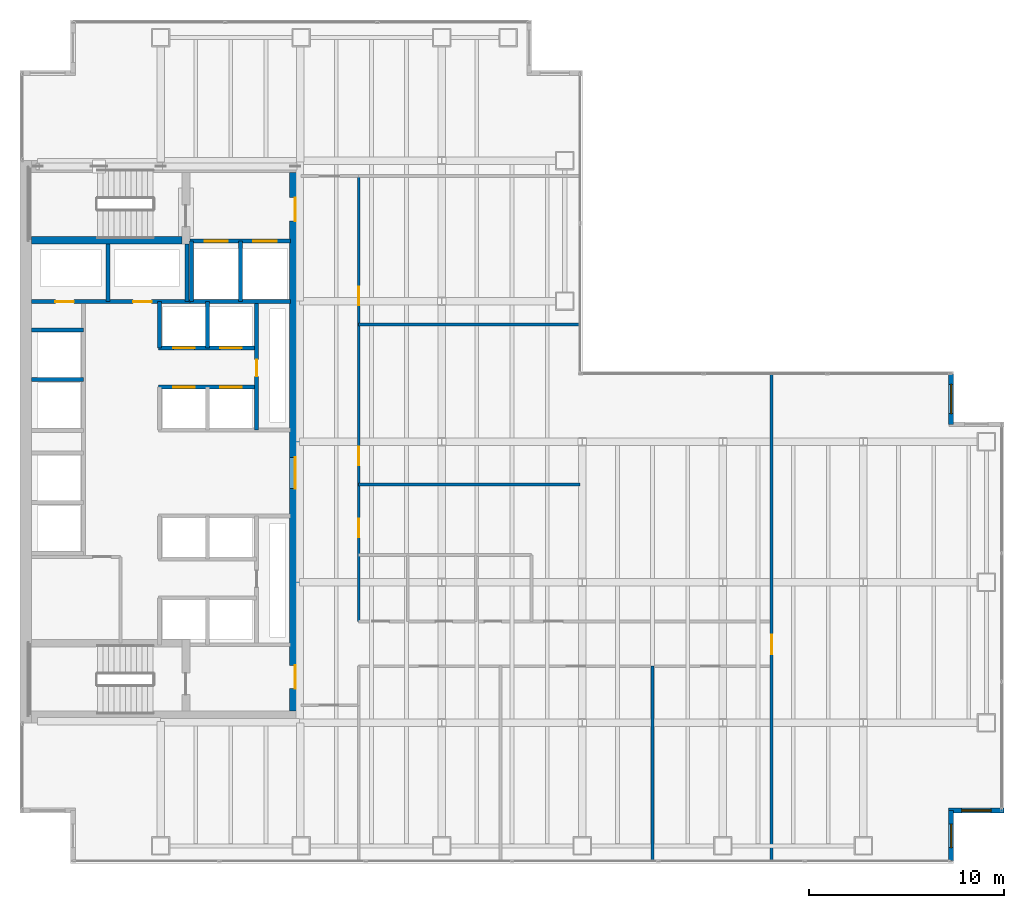
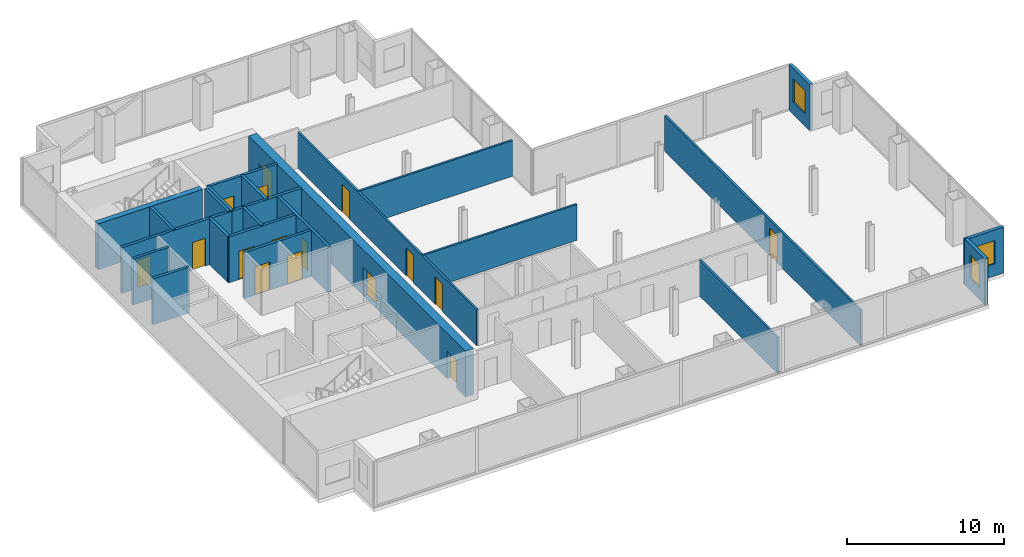
# One storey, part 21 of 23: 24 walls, 16 doors, 3 windows, 19 openings.
"""IFC4 building model written with IfcOpenShell, lengths in metres."""

from ifc_helpers import new_model, si_unit, direction, frame, frame_2d, origin, place, context, subcontext, project, spatial, rectangle, extrude, material, layer, layer_set, type_object, element, fill, save


model = new_model("IFC4")

# Units and contexts
model_context = context("Model", 3, precision=1e-05, world=origin(), true_north=direction((0.0, 1.0)))
body_context = subcontext(model_context, "Body", "Model", "MODEL_VIEW")
ifc_project = project(units=[si_unit("LENGTHUNIT", "METRE"), si_unit("AREAUNIT", "SQUARE_METRE"), si_unit("VOLUMEUNIT", "CUBIC_METRE"), si_unit("PLANEANGLEUNIT", "RADIAN"), si_unit("MASSUNIT", "GRAM", prefix="KILO")], contexts=[model_context])

# Site, building, storey
site_placement = place(None, origin())
site = spatial("IfcSite", under=ifc_project, at=site_placement, CompositionType="ELEMENT")
building_placement = place(site_placement, origin())
building = spatial("IfcBuilding", under=site, at=building_placement, Name="Cobrela Telecom Tower", CompositionType="ELEMENT")
storey_placement = place(building_placement, frame((0.0, 0.0, 88.89990234375)))
storey = spatial("IfcBuildingStorey", under=building, at=storey_placement, Name="L22", CompositionType="ELEMENT", Elevation=88.89990234375)

# Wall, openings, doors
ifc_material_1 = material(Name="Concrete C50/60", Category="concrete")
ifc_layer_1 = layer(ifc_material_1, 0.60009765625)
ifc_layer_set_1 = layer_set([ifc_layer_1], Name="Concrete C50/60")
wall_type_1 = type_object("IfcWallType", Name="WALL-CORE-C50-600", PredefinedType="SHEAR", material=ifc_layer_set_1)
wall_1_placement = place(storey_placement, frame((14.10009765625, 35.39990234375, 0.0), z_axis=(0.0, 0.0, 1.0), x_axis=(0.0, -1.0, 0.0)))
wall_1 = element("IfcWall", 1, at=wall_1_placement, inside=storey, type_object=wall_type_1, Name="L22 East Core Shear Wall", PredefinedType="SHEAR", context=body_context, shape_type="SweptSolid", body=[
    extrude(rectangle(XDim=27.599853515625, YDim=0.60009765625, at=frame_2d((13.7998046875, 0.0))), origin(), (0.0, 0.0, 1.0), 3.570068359375),
])
opening_1_placement = place(wall_1_placement, frame((1.300048828125, 0.0, 0.0)))
opening_1 = element("IfcOpeningElement", 2, at=opening_1_placement, cuts=wall_1, Name="Opening DR-19", PredefinedType="OPENING", context=body_context, shape_type="SweptSolid", body=[
    extrude(rectangle(XDim=1.199951171875, YDim=2.14990234375, at=frame_2d((0.60009765625, 1.074951171875))), frame((0.0, 0.31201171875, 0.0), z_axis=(0.0, -1.0, 0.0), x_axis=(1.0, 0.0, 0.0)), (0.0, 0.0, 1.0), 0.6240234375),
])
opening_2_placement = place(wall_1_placement, frame((25.25, 0.0, 0.0)))
opening_2 = element("IfcOpeningElement", 3, at=opening_2_placement, cuts=wall_1, Name="Opening DR-19", PredefinedType="OPENING", context=body_context, shape_type="SweptSolid", body=[
    extrude(rectangle(XDim=1.199951171875, YDim=2.14990234375, at=frame_2d((0.60009765625, 1.074951171875))), frame((0.0, 0.31201171875, 0.0), z_axis=(0.0, -1.0, 0.0), x_axis=(1.0, 0.0, 0.0)), (0.0, 0.0, 1.0), 0.6240234375),
])
opening_3_placement = place(wall_1_placement, frame((14.60009765625, 0.0, 0.0)))
opening_3 = element("IfcOpeningElement", 4, at=opening_3_placement, cuts=wall_1, Name="Opening DR-51", PredefinedType="OPENING", context=body_context, shape_type="SweptSolid", body=[
    extrude(rectangle(XDim=1.60009765625, YDim=2.199951171875, at=frame_2d((0.800048828125, 1.10009765625))), frame((0.0, 0.31201171875, 0.0), z_axis=(0.0, -1.0, 0.0), x_axis=(1.0, 0.0, 0.0)), (0.0, 0.0, 1.0), 0.6240234375),
])
ifc_material_2 = material(Name="Steel ASTM A36", Category="steel")
door_type_1 = type_object("IfcDoorType", Name="DOOR-FD60-1200", OperationType="SINGLE_SWING_LEFT", PredefinedType="DOOR", material=ifc_material_2)
door_1_placement = place(opening_1_placement, origin())
door_1 = element("IfcDoor", 5, at=door_1_placement, inside=storey, type_object=door_type_1, Name="L22 Door DR-19", OperationType="SINGLE_SWING_LEFT", OverallHeight=2.14990234375, OverallWidth=1.199951171875, PredefinedType="DOOR", context=body_context, shape_type="SweptSolid", body=[
    extrude(rectangle(XDim=1.199951171875, YDim=2.14990234375, at=frame_2d((0.60009765625, 1.074951171875))), frame((0.0, 0.02490234375, 0.0), z_axis=(0.0, -1.0, 0.0), x_axis=(1.0, 0.0, 0.0)), (0.0, 0.0, 1.0), 0.050048828125),
])
fill(opening_1, door_1)
door_2_placement = place(opening_2_placement, origin())
door_2 = element("IfcDoor", 6, at=door_2_placement, inside=storey, type_object=door_type_1, Name="L22 Door DR-19", OperationType="SINGLE_SWING_RIGHT", OverallHeight=2.14990234375, OverallWidth=1.199951171875, PredefinedType="DOOR", context=body_context, shape_type="SweptSolid", body=[
    extrude(rectangle(XDim=1.199951171875, YDim=2.14990234375, at=frame_2d((0.60009765625, 1.074951171875))), frame((0.0, 0.02490234375, 0.0), z_axis=(0.0, -1.0, 0.0), x_axis=(1.0, 0.0, 0.0)), (0.0, 0.0, 1.0), 0.050048828125),
])
fill(opening_2, door_2)
door_type_2 = type_object("IfcDoorType", Name="DOOR-FD60-1600", OperationType="SINGLE_SWING_LEFT", PredefinedType="DOOR", material=ifc_material_2)
door_3_placement = place(opening_3_placement, origin())
door_3 = element("IfcDoor", 7, at=door_3_placement, inside=storey, type_object=door_type_2, Name="L22 Door DR-51", OperationType="DOUBLE_DOOR_SINGLE_SWING", OverallHeight=2.199951171875, OverallWidth=1.60009765625, PredefinedType="DOOR", context=body_context, shape_type="SweptSolid", body=[
    extrude(rectangle(XDim=1.60009765625, YDim=2.199951171875, at=frame_2d((0.800048828125, 1.10009765625))), frame((0.0, 0.02490234375, 0.0), z_axis=(0.0, -1.0, 0.0), x_axis=(1.0, 0.0, 0.0)), (0.0, 0.0, 1.0), 0.050048828125),
])
fill(opening_3, door_3)

# Wall, opening, window
ifc_material_3 = material(Name="Concrete C40/50", Category="concrete")
ifc_layer_2 = layer(ifc_material_3, 0.239990234375)
ifc_layer_set_2 = layer_set([ifc_layer_2], Name="Concrete C40/50")
wall_type_2 = type_object("IfcWallType", Name="WALL-EXT-300", PredefinedType="STANDARD", material=ifc_layer_set_2)
wall_2_placement = place(storey_placement, frame((47.68994140625, 25.080078125, 0.0), z_axis=(0.0, 0.0, 1.0), x_axis=(0.0, -1.0, 0.0)))
wall_2 = element("IfcWall", 8, at=wall_2_placement, inside=storey, type_object=wall_type_2, Name="L22 Insulated Facade Wall 12", PredefinedType="STANDARD", context=body_context, shape_type="SweptSolid", body=[
    extrude(rectangle(XDim=2.590087890625, YDim=0.239990234375, at=frame_2d((1.294921875, 0.0))), origin(), (0.0, 0.0, 1.0), 3.570068359375),
])
opening_4_placement = place(wall_2_placement, frame((0.544921875, 0.0, 0.949951171875)))
opening_4 = element("IfcOpeningElement", 9, at=opening_4_placement, cuts=wall_2, Name="Opening WN-45", PredefinedType="OPENING", context=body_context, shape_type="SweptSolid", body=[
    extrude(rectangle(XDim=1.5, YDim=1.800048828125, at=frame_2d((0.75, 0.89990234375))), frame((0.0, 0.1318359375, 0.0), z_axis=(0.0, -1.0, 0.0), x_axis=(1.0, 0.0, 0.0)), (0.0, 0.0, 1.0), 0.263916015625),
])
ifc_material_4 = material(Name="Solar-Control Bronze Low-E Glass", Category="glass")
window_type_1 = type_object("IfcWindowType", Name="WIN-MOD-1500", PartitioningType="SINGLE_PANEL", PredefinedType="WINDOW", material=ifc_material_4)
window_1_placement = place(opening_4_placement, origin())
window_1 = element("IfcWindow", 10, at=window_1_placement, inside=storey, type_object=window_type_1, Name="L22 Corner Notch Facade Window 106", OverallHeight=1.800048828125, OverallWidth=1.5, PartitioningType="SINGLE_PANEL", PredefinedType="WINDOW", context=body_context, shape_type="SweptSolid", body=[
    extrude(rectangle(XDim=1.5, YDim=1.800048828125, at=frame_2d((0.75, 0.89990234375))), frame((0.0, 0.030029296875, 0.0), z_axis=(0.0, -1.0, 0.0), x_axis=(1.0, 0.0, 0.0)), (0.0, 0.0, 1.0), 0.06005859375),
])
fill(opening_4, window_1)

wall_3_placement = place(storey_placement, frame((50.39990234375, 2.7099609375, 0.0), z_axis=(0.0, 0.0, 1.0), x_axis=(-1.0, 0.0, 0.0)))
wall_3 = element("IfcWall", 11, at=wall_3_placement, inside=storey, type_object=wall_type_2, Name="L22 Insulated Facade Wall 15", PredefinedType="STANDARD", context=body_context, shape_type="SweptSolid", body=[
    extrude(rectangle(XDim=2.829833984375, YDim=0.239990234375, at=frame_2d((1.4150390625, 0.0))), origin(), (0.0, 0.0, 1.0), 3.570068359375),
])
opening_5_placement = place(wall_3_placement, frame((0.6650390625, 0.0, 0.949951171875)))
opening_5 = element("IfcOpeningElement", 12, at=opening_5_placement, cuts=wall_3, Name="Opening WN-45", PredefinedType="OPENING", context=body_context, shape_type="SweptSolid", body=[
    extrude(rectangle(XDim=1.5, YDim=1.800048828125, at=frame_2d((0.75, 0.89990234375))), frame((0.0, 0.1318359375, 0.0), z_axis=(0.0, -1.0, 0.0), x_axis=(1.0, 0.0, 0.0)), (0.0, 0.0, 1.0), 0.263916015625),
])
window_2_placement = place(opening_5_placement, origin())
window_2 = element("IfcWindow", 13, at=window_2_placement, inside=storey, type_object=window_type_1, Name="L22 Corner Notch Facade Window 108", OverallHeight=1.800048828125, OverallWidth=1.5, PartitioningType="SINGLE_PANEL", PredefinedType="WINDOW", context=body_context, shape_type="SweptSolid", body=[
    extrude(rectangle(XDim=1.5, YDim=1.800048828125, at=frame_2d((0.75, 0.89990234375))), frame((0.0, 0.030029296875, 0.0), z_axis=(0.0, -1.0, 0.0), x_axis=(1.0, 0.0, 0.0)), (0.0, 0.0, 1.0), 0.06005859375),
])
fill(opening_5, window_2)

wall_4_placement = place(storey_placement, frame((47.68994140625, 2.7099609375, 0.0), z_axis=(0.0, 0.0, 1.0), x_axis=(0.0, -1.0, 0.0)))
wall_4 = element("IfcWall", 14, at=wall_4_placement, inside=storey, type_object=wall_type_2, Name="L22 Insulated Facade Wall 16", PredefinedType="STANDARD", context=body_context, shape_type="SweptSolid", body=[
    extrude(rectangle(XDim=2.58984375, YDim=0.239990234375, at=frame_2d((1.294921875, 0.0))), origin(), (0.0, 0.0, 1.0), 3.570068359375),
])
opening_6_placement = place(wall_4_placement, frame((0.695068359375, 0.0, 0.949951171875)))
opening_6 = element("IfcOpeningElement", 15, at=opening_6_placement, cuts=wall_4, Name="Opening WN-19", PredefinedType="OPENING", context=body_context, shape_type="SweptSolid", body=[
    extrude(rectangle(XDim=1.199951171875, YDim=1.800048828125, at=frame_2d((0.60009765625, 0.89990234375))), frame((0.0, 0.1318359375, 0.0), z_axis=(0.0, -1.0, 0.0), x_axis=(1.0, 0.0, 0.0)), (0.0, 0.0, 1.0), 0.263916015625),
])
window_type_2 = type_object("IfcWindowType", Name="WIN-MOD-1200", PartitioningType="SINGLE_PANEL", PredefinedType="WINDOW", material=ifc_material_4)
window_3_placement = place(opening_6_placement, origin())
window_3 = element("IfcWindow", 16, at=window_3_placement, inside=storey, type_object=window_type_2, Name="L22 Corner Notch Facade Window 109", OverallHeight=1.800048828125, OverallWidth=1.199951171875, PartitioningType="SINGLE_PANEL", PredefinedType="WINDOW", context=body_context, shape_type="SweptSolid", body=[
    extrude(rectangle(XDim=1.199951171875, YDim=1.800048828125, at=frame_2d((0.60009765625, 0.89990234375))), frame((0.0, 0.030029296875, 0.0), z_axis=(0.0, -1.0, 0.0), x_axis=(1.0, 0.0, 0.0)), (0.0, 0.0, 1.0), 0.06005859375),
])
fill(opening_6, window_3)

# Wall, openings, doors
ifc_material_5 = material(Name="Fire-Rated Gypsum Plasterboard")
ifc_layer_3 = layer(ifc_material_5, 0.14990234375)
ifc_layer_set_3 = layer_set([ifc_layer_3], Name="Fire-Rated Gypsum Plasterboard")
wall_type_3 = type_object("IfcWallType", Name="WALL-PART-150", PredefinedType="PARTITIONING", material=ifc_layer_set_3)
wall_5_placement = place(storey_placement, frame((17.35009765625, 12.39990234375, 0.0), z_axis=(0.0, 0.0, 1.0), x_axis=(0.0, 1.0, 0.0)))
wall_5 = element("IfcWall", 17, at=wall_5_placement, inside=storey, type_object=wall_type_3, Name="L22 Interior Partition W-C-E2", PredefinedType="PARTITIONING", context=body_context, shape_type="SweptSolid", body=[
    extrude(rectangle(XDim=22.800048828125, YDim=0.14990234375, at=frame_2d((11.39990234375, 0.0))), origin(), (0.0, 0.0, 1.0), 2.783203125),
])
opening_7_placement = place(wall_5_placement, frame((4.300048828125, 0.0, 0.0)))
opening_7 = element("IfcOpeningElement", 18, at=opening_7_placement, cuts=wall_5, Name="Opening DR-67", PredefinedType="OPENING", context=body_context, shape_type="SweptSolid", body=[
    extrude(rectangle(XDim=0.949951171875, YDim=2.14990234375, at=frame_2d((0.47509765625, 1.074951171875))), frame((0.0, 0.0869140625, 0.0), z_axis=(0.0, -1.0, 0.0), x_axis=(1.0, 0.0, 0.0)), (0.0, 0.0, 1.0), 0.173828125),
])
opening_8_placement = place(wall_5_placement, frame((8.0, 0.0, 0.0)))
opening_8 = element("IfcOpeningElement", 19, at=opening_8_placement, cuts=wall_5, Name="Opening DR-67", PredefinedType="OPENING", context=body_context, shape_type="SweptSolid", body=[
    extrude(rectangle(XDim=0.949951171875, YDim=2.14990234375, at=frame_2d((0.47509765625, 1.074951171875))), frame((0.0, 0.0869140625, 0.0), z_axis=(0.0, -1.0, 0.0), x_axis=(1.0, 0.0, 0.0)), (0.0, 0.0, 1.0), 0.173828125),
])
opening_9_placement = place(wall_5_placement, frame((16.199951171875, 0.0, 0.0)))
opening_9 = element("IfcOpeningElement", 20, at=opening_9_placement, cuts=wall_5, Name="Opening DR-67", PredefinedType="OPENING", context=body_context, shape_type="SweptSolid", body=[
    extrude(rectangle(XDim=0.949951171875, YDim=2.14990234375, at=frame_2d((0.47509765625, 1.074951171875))), frame((0.0, 0.0869140625, 0.0), z_axis=(0.0, -1.0, 0.0), x_axis=(1.0, 0.0, 0.0)), (0.0, 0.0, 1.0), 0.173828125),
])
ifc_material_6 = material(Name="Solid Engineered Oak Timber", Category="wood")
door_type_3 = type_object("IfcDoorType", Name="DOOR-INT-950", OperationType="SINGLE_SWING_LEFT", PredefinedType="DOOR", material=ifc_material_6)
door_4_placement = place(opening_7_placement, origin())
door_4 = element("IfcDoor", 21, at=door_4_placement, inside=storey, type_object=door_type_3, Name="L22 Door DR-67", OperationType="SINGLE_SWING_RIGHT", OverallHeight=2.14990234375, OverallWidth=0.949951171875, PredefinedType="DOOR", context=body_context, shape_type="SweptSolid", body=[
    extrude(rectangle(XDim=0.949951171875, YDim=2.14990234375, at=frame_2d((0.47509765625, 1.074951171875))), frame((0.0, 0.02490234375, 0.0), z_axis=(0.0, -1.0, 0.0), x_axis=(1.0, 0.0, 0.0)), (0.0, 0.0, 1.0), 0.050048828125),
])
fill(opening_7, door_4)
door_5_placement = place(opening_8_placement, origin())
door_5 = element("IfcDoor", 22, at=door_5_placement, inside=storey, type_object=door_type_3, Name="L22 Door DR-67", OperationType="SINGLE_SWING_LEFT", OverallHeight=2.14990234375, OverallWidth=0.949951171875, PredefinedType="DOOR", context=body_context, shape_type="SweptSolid", body=[
    extrude(rectangle(XDim=0.949951171875, YDim=2.14990234375, at=frame_2d((0.47509765625, 1.074951171875))), frame((0.0, 0.02490234375, 0.0), z_axis=(0.0, -1.0, 0.0), x_axis=(1.0, 0.0, 0.0)), (0.0, 0.0, 1.0), 0.050048828125),
])
fill(opening_8, door_5)
door_6_placement = place(opening_9_placement, origin())
door_6 = element("IfcDoor", 23, at=door_6_placement, inside=storey, type_object=door_type_3, Name="L22 Door DR-67", OperationType="SINGLE_SWING_RIGHT", OverallHeight=2.14990234375, OverallWidth=0.949951171875, PredefinedType="DOOR", context=body_context, shape_type="SweptSolid", body=[
    extrude(rectangle(XDim=0.949951171875, YDim=2.14990234375, at=frame_2d((0.47509765625, 1.074951171875))), frame((0.0, 0.02490234375, 0.0), z_axis=(0.0, -1.0, 0.0), x_axis=(1.0, 0.0, 0.0)), (0.0, 0.0, 1.0), 0.050048828125),
])
fill(opening_9, door_6)

# Wall, opening, door
wall_6_placement = place(storey_placement, frame((38.5, 0.1201171875, 0.0), z_axis=(0.0, 0.0, 1.0), x_axis=(0.0, 1.0, 0.0)))
wall_6 = element("IfcWall", 24, at=wall_6_placement, inside=storey, type_object=wall_type_3, Name="L22 Interior Partition W-C-END", PredefinedType="PARTITIONING", context=body_context, shape_type="SweptSolid", body=[
    extrude(rectangle(XDim=24.9599609375, YDim=0.14990234375, at=frame_2d((12.47998046875, 0.0))), origin(), (0.0, 0.0, 1.0), 2.783203125),
])
opening_10_placement = place(wall_6_placement, frame((10.60009765625, 0.0, 0.0)))
opening_10 = element("IfcOpeningElement", 25, at=opening_10_placement, cuts=wall_6, Name="Opening DR-31", PredefinedType="OPENING", context=body_context, shape_type="SweptSolid", body=[
    extrude(rectangle(XDim=1.0, YDim=2.14990234375, at=frame_2d((0.5, 1.074951171875))), frame((0.0, 0.0869140625, 0.0), z_axis=(0.0, -1.0, 0.0), x_axis=(1.0, 0.0, 0.0)), (0.0, 0.0, 1.0), 0.173828125),
])
door_type_4 = type_object("IfcDoorType", Name="DOOR-INT-1000", OperationType="SINGLE_SWING_LEFT", PredefinedType="DOOR", material=ifc_material_6)
door_7_placement = place(opening_10_placement, origin())
door_7 = element("IfcDoor", 26, at=door_7_placement, inside=storey, type_object=door_type_4, Name="L22 Door DR-31", OperationType="SINGLE_SWING_LEFT", OverallHeight=2.14990234375, OverallWidth=1.0, PredefinedType="DOOR", context=body_context, shape_type="SweptSolid", body=[
    extrude(rectangle(XDim=1.0, YDim=2.14990234375, at=frame_2d((0.5, 1.074951171875))), frame((0.0, 0.02490234375, 0.0), z_axis=(0.0, -1.0, 0.0), x_axis=(1.0, 0.0, 0.0)), (0.0, 0.0, 1.0), 0.050048828125),
])
fill(opening_10, door_7)

# Walls
for number, where, z_axis, x_axis, name in (
    (27, (17.35009765625, 19.39990234375, 0.0), (0.0, 0.0, 1.0), (1.0, 0.0, 0.0), "L22 Interior Partition W-NPAN-T"),
    (28, (17.35009765625, 27.60009765625, 0.0), (0.0, 0.0, 1.0), (1.0, 0.0, 0.0), "L22 Interior Partition W-NT-M"),
):
    element("IfcWall", number, at=place(storey_placement, frame(where, z_axis=z_axis, x_axis=x_axis)), inside=storey, type_object=wall_type_3, Name=name, PredefinedType="PARTITIONING", context=body_context, shape_type="SweptSolid", body=[
        extrude(rectangle(XDim=11.329833984375, YDim=0.14990234375, at=frame_2d((5.6650390625, 0.0))), origin(), (0.0, 0.0, 1.0), 2.783203125),
    ])
wall_7_placement = place(storey_placement, frame((32.39990234375, 0.1201171875, 0.0), z_axis=(0.0, 0.0, 1.0), x_axis=(0.0, 1.0, 0.0)))
element("IfcWall", 29, at=wall_7_placement, inside=storey, type_object=wall_type_3, Name="L22 Interior Partition W-SV-2", PredefinedType="PARTITIONING", context=body_context, shape_type="SweptSolid", body=[
    extrude(rectangle(XDim=9.97998046875, YDim=0.14990234375, at=frame_2d((4.989990234375, 0.0))), origin(), (0.0, 0.0, 1.0), 2.783203125),
])

# Wall, openings, doors
ifc_layer_4 = layer(ifc_material_5, 0.199951171875)
ifc_layer_set_4 = layer_set([ifc_layer_4], Name="Fire-Rated Gypsum Plasterboard")
wall_type_4 = type_object("IfcWallType", Name="WALL-SHAFT-200", PredefinedType="PARTITIONING", material=ifc_layer_set_4)
wall_8_placement = place(storey_placement, frame((8.699951171875, 31.8798828125, 0.0), z_axis=(0.0, 0.0, 1.0), x_axis=(1.0, 0.0, 0.0)))
wall_8 = element("IfcWall", 30, at=wall_8_placement, inside=storey, type_object=wall_type_4, Name="L22 Shaft Enclosure CW-FFL-S", PredefinedType="PARTITIONING", context=body_context, shape_type="SweptSolid", body=[
    extrude(rectangle(XDim=5.150146484375, YDim=0.199951171875, at=frame_2d((2.5751953125, 0.0))), origin(), (0.0, 0.0, 1.0), 3.570068359375),
])
opening_11_placement = place(wall_8_placement, frame((0.75, 0.0, 0.0)))
opening_11 = element("IfcOpeningElement", 31, at=opening_11_placement, cuts=wall_8, Name="Opening LD-2", PredefinedType="OPENING", context=body_context, shape_type="SweptSolid", body=[
    extrude(rectangle(XDim=1.199951171875, YDim=2.199951171875, at=frame_2d((0.60009765625, 1.10009765625))), frame((0.0, 0.11181640625, 0.0), z_axis=(0.0, -1.0, 0.0), x_axis=(1.0, 0.0, 0.0)), (0.0, 0.0, 1.0), 0.223876953125),
])
opening_12_placement = place(wall_8_placement, frame((3.25, 0.0, 0.0)))
opening_12 = element("IfcOpeningElement", 32, at=opening_12_placement, cuts=wall_8, Name="Opening LD-2", PredefinedType="OPENING", context=body_context, shape_type="SweptSolid", body=[
    extrude(rectangle(XDim=1.199951171875, YDim=2.199951171875, at=frame_2d((0.60009765625, 1.10009765625))), frame((0.0, 0.11181640625, 0.0), z_axis=(0.0, -1.0, 0.0), x_axis=(1.0, 0.0, 0.0)), (0.0, 0.0, 1.0), 0.223876953125),
])
door_type_5 = type_object("IfcDoorType", Name="DOOR-LD-FFL", OperationType="SINGLE_SWING_LEFT", PredefinedType="DOOR", material=ifc_material_2)
door_8_placement = place(opening_11_placement, origin())
door_8 = element("IfcDoor", 33, at=door_8_placement, inside=storey, type_object=door_type_5, Name="L22 Lift Landing Door LD-2", OperationType="DOUBLE_DOOR_SLIDING", OverallHeight=2.199951171875, OverallWidth=1.199951171875, PredefinedType="DOOR", context=body_context, shape_type="SweptSolid", body=[
    extrude(rectangle(XDim=1.199951171875, YDim=2.199951171875, at=frame_2d((0.60009765625, 1.10009765625))), frame((0.0, 0.02490234375, 0.0), z_axis=(0.0, -1.0, 0.0), x_axis=(1.0, 0.0, 0.0)), (0.0, 0.0, 1.0), 0.050048828125),
])
fill(opening_11, door_8)
door_9_placement = place(opening_12_placement, origin())
door_9 = element("IfcDoor", 34, at=door_9_placement, inside=storey, type_object=door_type_5, Name="L22 Lift Landing Door LD-2", OperationType="DOUBLE_DOOR_SLIDING", OverallHeight=2.199951171875, OverallWidth=1.199951171875, PredefinedType="DOOR", context=body_context, shape_type="SweptSolid", body=[
    extrude(rectangle(XDim=1.199951171875, YDim=2.199951171875, at=frame_2d((0.60009765625, 1.10009765625))), frame((0.0, 0.02490234375, 0.0), z_axis=(0.0, -1.0, 0.0), x_axis=(1.0, 0.0, 0.0)), (0.0, 0.0, 1.0), 0.050048828125),
])
fill(opening_12, door_9)

# Walls
wall_9_placement = place(storey_placement, frame((8.699951171875, 28.780029296875, 0.0), z_axis=(0.0, 0.0, 1.0), x_axis=(1.0, 0.0, 0.0)))
element("IfcWall", 35, at=wall_9_placement, inside=storey, type_object=wall_type_4, Name="L22 Shaft Enclosure CW-FFL-S2", PredefinedType="PARTITIONING", context=body_context, shape_type="SweptSolid", body=[
    extrude(rectangle(XDim=5.150146484375, YDim=0.199951171875, at=frame_2d((2.5751953125, 0.0))), origin(), (0.0, 0.0, 1.0), 3.570068359375),
])
for number, where, z_axis, x_axis, name in (
    (36, (8.780029296875, 28.780029296875, 0.0), (0.0, 0.0, 1.0), (0.0, 1.0, 0.0), "L22 Shaft Enclosure CW-FFL-W"),
    (37, (11.300048828125, 28.780029296875, 0.0), (0.0, 0.0, 1.0), (0.0, 1.0, 0.0), "L22 Shaft Enclosure CW-FFL-M"),
):
    element("IfcWall", number, at=place(storey_placement, frame(where, z_axis=z_axis, x_axis=x_axis)), inside=storey, type_object=wall_type_4, Name=name, PredefinedType="PARTITIONING", context=body_context, shape_type="SweptSolid", body=[
        extrude(rectangle(XDim=3.099853515625, YDim=0.199951171875, at=frame_2d((1.5498046875, 0.0))), origin(), (0.0, 0.0, 1.0), 3.570068359375),
    ])

# Wall, openings, doors
wall_10_placement = place(storey_placement, frame((0.60009765625, 28.780029296875, 0.0), z_axis=(0.0, 0.0, 1.0), x_axis=(1.0, 0.0, 0.0)))
wall_10 = element("IfcWall", 38, at=wall_10_placement, inside=storey, type_object=wall_type_4, Name="L22 Shaft Enclosure CW-RIS-S", PredefinedType="PARTITIONING", context=body_context, shape_type="SweptSolid", body=[
    extrude(rectangle(XDim=8.179931640625, YDim=0.199951171875, at=frame_2d((4.08984375, 0.0))), origin(), (0.0, 0.0, 1.0), 3.570068359375),
])
opening_13_placement = place(wall_10_placement, frame((1.2099609375, 0.0, 0.0)))
opening_13 = element("IfcOpeningElement", 39, at=opening_13_placement, cuts=wall_10, Name="Opening DR-65", PredefinedType="OPENING", context=body_context, shape_type="SweptSolid", body=[
    extrude(rectangle(XDim=0.949951171875, YDim=2.14990234375, at=frame_2d((0.47509765625, 1.074951171875))), frame((0.0, 0.11181640625, 0.0), z_axis=(0.0, -1.0, 0.0), x_axis=(1.0, 0.0, 0.0)), (0.0, 0.0, 1.0), 0.223876953125),
])
opening_14_placement = place(wall_10_placement, frame((5.18994140625, 0.0, 0.0)))
opening_14 = element("IfcOpeningElement", 40, at=opening_14_placement, cuts=wall_10, Name="Opening DR-65", PredefinedType="OPENING", context=body_context, shape_type="SweptSolid", body=[
    extrude(rectangle(XDim=0.949951171875, YDim=2.14990234375, at=frame_2d((0.47509765625, 1.074951171875))), frame((0.0, 0.11181640625, 0.0), z_axis=(0.0, -1.0, 0.0), x_axis=(1.0, 0.0, 0.0)), (0.0, 0.0, 1.0), 0.223876953125),
])
door_type_6 = type_object("IfcDoorType", Name="DOOR-FD60-950", OperationType="SINGLE_SWING_LEFT", PredefinedType="DOOR", material=ifc_material_2)
door_10_placement = place(opening_13_placement, origin())
door_10 = element("IfcDoor", 41, at=door_10_placement, inside=storey, type_object=door_type_6, Name="L22 Door DR-65", OperationType="SINGLE_SWING_LEFT", OverallHeight=2.14990234375, OverallWidth=0.949951171875, PredefinedType="DOOR", context=body_context, shape_type="SweptSolid", body=[
    extrude(rectangle(XDim=0.949951171875, YDim=2.14990234375, at=frame_2d((0.47509765625, 1.074951171875))), frame((0.0, 0.02490234375, 0.0), z_axis=(0.0, -1.0, 0.0), x_axis=(1.0, 0.0, 0.0)), (0.0, 0.0, 1.0), 0.050048828125),
])
fill(opening_13, door_10)
door_11_placement = place(opening_14_placement, origin())
door_11 = element("IfcDoor", 42, at=door_11_placement, inside=storey, type_object=door_type_6, Name="L22 Door DR-65", OperationType="SINGLE_SWING_RIGHT", OverallHeight=2.14990234375, OverallWidth=0.949951171875, PredefinedType="DOOR", context=body_context, shape_type="SweptSolid", body=[
    extrude(rectangle(XDim=0.949951171875, YDim=2.14990234375, at=frame_2d((0.47509765625, 1.074951171875))), frame((0.0, 0.02490234375, 0.0), z_axis=(0.0, -1.0, 0.0), x_axis=(1.0, 0.0, 0.0)), (0.0, 0.0, 1.0), 0.050048828125),
])
fill(opening_14, door_11)

# Walls
for number, where, z_axis, x_axis, name in (
    (43, (4.5, 28.780029296875, 0.0), (0.0, 0.0, 1.0), (0.0, 1.0, 0.0), "L22 Shaft Enclosure CW-RIS-M"),
    (44, (8.550048828125, 28.780029296875, 0.0), (0.0, 0.0, 1.0), (0.0, 1.0, 0.0), "L22 Shaft Enclosure CW-RIS-E"),
):
    element("IfcWall", number, at=place(storey_placement, frame(where, z_axis=z_axis, x_axis=x_axis)), inside=storey, type_object=wall_type_4, Name=name, PredefinedType="PARTITIONING", context=body_context, shape_type="SweptSolid", body=[
        extrude(rectangle(XDim=2.93994140625, YDim=0.199951171875, at=frame_2d((1.469970703125, 0.0))), origin(), (0.0, 0.0, 1.0), 3.570068359375),
    ])
for number, where, z_axis, x_axis, name in (
    (45, (0.60009765625, 24.780029296875, 0.0), (0.0, 0.0, 1.0), (1.0, 0.0, 0.0), "L22 Shaft Enclosure CW-PLH-D12"),
    (46, (0.60009765625, 27.320068359375, 0.0), (0.0, 0.0, 1.0), (1.0, 0.0, 0.0), "L22 Shaft Enclosure CW-PLH-TOP"),
):
    element("IfcWall", number, at=place(storey_placement, frame(where, z_axis=z_axis, x_axis=x_axis)), inside=storey, type_object=wall_type_4, Name=name, PredefinedType="PARTITIONING", context=body_context, shape_type="SweptSolid", body=[
        extrude(rectangle(XDim=2.64990234375, YDim=0.199951171875, at=frame_2d((1.324951171875, 0.0))), origin(), (0.0, 0.0, 1.0), 3.570068359375),
    ])

# Wall, openings, doors
wall_11_placement = place(storey_placement, frame((7.10009765625, 24.39990234375, 0.0), z_axis=(0.0, 0.0, 1.0), x_axis=(1.0, 0.0, 0.0)))
wall_11 = element("IfcWall", 47, at=wall_11_placement, inside=storey, type_object=wall_type_4, Name="L22 Shaft Enclosure CW-PLL-S", PredefinedType="PARTITIONING", context=body_context, shape_type="SweptSolid", body=[
    extrude(rectangle(XDim=5.02001953125, YDim=0.199951171875, at=frame_2d((2.510009765625, 0.0))), origin(), (0.0, 0.0, 1.0), 3.570068359375),
])
opening_15_placement = place(wall_11_placement, frame((0.75, 0.0, 0.0)))
opening_15 = element("IfcOpeningElement", 48, at=opening_15_placement, cuts=wall_11, Name="Opening LD-1", PredefinedType="OPENING", context=body_context, shape_type="SweptSolid", body=[
    extrude(rectangle(XDim=1.10009765625, YDim=2.199951171875, at=frame_2d((0.550048828125, 1.10009765625))), frame((0.0, 0.11181640625, 0.0), z_axis=(0.0, -1.0, 0.0), x_axis=(1.0, 0.0, 0.0)), (0.0, 0.0, 1.0), 0.223876953125),
])
opening_16_placement = place(wall_11_placement, frame((3.14990234375, 0.0, 0.0)))
opening_16 = element("IfcOpeningElement", 49, at=opening_16_placement, cuts=wall_11, Name="Opening LD-1", PredefinedType="OPENING", context=body_context, shape_type="SweptSolid", body=[
    extrude(rectangle(XDim=1.10009765625, YDim=2.199951171875, at=frame_2d((0.550048828125, 1.10009765625))), frame((0.0, 0.11181640625, 0.0), z_axis=(0.0, -1.0, 0.0), x_axis=(1.0, 0.0, 0.0)), (0.0, 0.0, 1.0), 0.223876953125),
])
door_type_7 = type_object("IfcDoorType", Name="DOOR-LD-PL", OperationType="SINGLE_SWING_LEFT", PredefinedType="DOOR", material=ifc_material_2)
door_12_placement = place(opening_15_placement, origin())
door_12 = element("IfcDoor", 50, at=door_12_placement, inside=storey, type_object=door_type_7, Name="L22 Lift Landing Door LD-1", OperationType="DOUBLE_DOOR_SLIDING", OverallHeight=2.199951171875, OverallWidth=1.10009765625, PredefinedType="DOOR", context=body_context, shape_type="SweptSolid", body=[
    extrude(rectangle(XDim=1.10009765625, YDim=2.199951171875, at=frame_2d((0.550048828125, 1.10009765625))), frame((0.0, 0.02490234375, 0.0), z_axis=(0.0, -1.0, 0.0), x_axis=(1.0, 0.0, 0.0)), (0.0, 0.0, 1.0), 0.050048828125),
])
fill(opening_15, door_12)
door_13_placement = place(opening_16_placement, origin())
door_13 = element("IfcDoor", 51, at=door_13_placement, inside=storey, type_object=door_type_7, Name="L22 Lift Landing Door LD-1", OperationType="DOUBLE_DOOR_SLIDING", OverallHeight=2.199951171875, OverallWidth=1.10009765625, PredefinedType="DOOR", context=body_context, shape_type="SweptSolid", body=[
    extrude(rectangle(XDim=1.10009765625, YDim=2.199951171875, at=frame_2d((0.550048828125, 1.10009765625))), frame((0.0, 0.02490234375, 0.0), z_axis=(0.0, -1.0, 0.0), x_axis=(1.0, 0.0, 0.0)), (0.0, 0.0, 1.0), 0.050048828125),
])
fill(opening_16, door_13)

wall_12_placement = place(storey_placement, frame((7.10009765625, 26.39990234375, 0.0), z_axis=(0.0, 0.0, 1.0), x_axis=(1.0, 0.0, 0.0)))
wall_12 = element("IfcWall", 52, at=wall_12_placement, inside=storey, type_object=wall_type_4, Name="L22 Shaft Enclosure CW-PLL-N", PredefinedType="PARTITIONING", context=body_context, shape_type="SweptSolid", body=[
    extrude(rectangle(XDim=5.02001953125, YDim=0.199951171875, at=frame_2d((2.510009765625, 0.0))), origin(), (0.0, 0.0, 1.0), 3.570068359375),
])
opening_17_placement = place(wall_12_placement, frame((0.75, 0.0, 0.0)))
opening_17 = element("IfcOpeningElement", 53, at=opening_17_placement, cuts=wall_12, Name="Opening LD-1", PredefinedType="OPENING", context=body_context, shape_type="SweptSolid", body=[
    extrude(rectangle(XDim=1.10009765625, YDim=2.199951171875, at=frame_2d((0.550048828125, 1.10009765625))), frame((0.0, 0.11181640625, 0.0), z_axis=(0.0, -1.0, 0.0), x_axis=(1.0, 0.0, 0.0)), (0.0, 0.0, 1.0), 0.223876953125),
])
opening_18_placement = place(wall_12_placement, frame((3.14990234375, 0.0, 0.0)))
opening_18 = element("IfcOpeningElement", 54, at=opening_18_placement, cuts=wall_12, Name="Opening LD-1", PredefinedType="OPENING", context=body_context, shape_type="SweptSolid", body=[
    extrude(rectangle(XDim=1.10009765625, YDim=2.199951171875, at=frame_2d((0.550048828125, 1.10009765625))), frame((0.0, 0.11181640625, 0.0), z_axis=(0.0, -1.0, 0.0), x_axis=(1.0, 0.0, 0.0)), (0.0, 0.0, 1.0), 0.223876953125),
])
door_14_placement = place(opening_17_placement, origin())
door_14 = element("IfcDoor", 55, at=door_14_placement, inside=storey, type_object=door_type_7, Name="L22 Lift Landing Door LD-1", OperationType="DOUBLE_DOOR_SLIDING", OverallHeight=2.199951171875, OverallWidth=1.10009765625, PredefinedType="DOOR", context=body_context, shape_type="SweptSolid", body=[
    extrude(rectangle(XDim=1.10009765625, YDim=2.199951171875, at=frame_2d((0.550048828125, 1.10009765625))), frame((0.0, 0.02490234375, 0.0), z_axis=(0.0, -1.0, 0.0), x_axis=(1.0, 0.0, 0.0)), (0.0, 0.0, 1.0), 0.050048828125),
])
fill(opening_17, door_14)
door_15_placement = place(opening_18_placement, origin())
door_15 = element("IfcDoor", 56, at=door_15_placement, inside=storey, type_object=door_type_7, Name="L22 Lift Landing Door LD-1", OperationType="DOUBLE_DOOR_SLIDING", OverallHeight=2.199951171875, OverallWidth=1.10009765625, PredefinedType="DOOR", context=body_context, shape_type="SweptSolid", body=[
    extrude(rectangle(XDim=1.10009765625, YDim=2.199951171875, at=frame_2d((0.550048828125, 1.10009765625))), frame((0.0, 0.02490234375, 0.0), z_axis=(0.0, -1.0, 0.0), x_axis=(1.0, 0.0, 0.0)), (0.0, 0.0, 1.0), 0.050048828125),
])
fill(opening_18, door_15)

# Walls
for number, where, z_axis, x_axis, name in (
    (57, (7.14990234375, 26.39990234375, 0.0), (0.0, 0.0, 1.0), (0.0, 1.0, 0.0), "L22 Shaft Enclosure CW-PLL-V1B"),
    (58, (9.60009765625, 26.39990234375, 0.0), (0.0, 0.0, 1.0), (0.0, 1.0, 0.0), "L22 Shaft Enclosure CW-PLL-V2B"),
):
    element("IfcWall", number, at=place(storey_placement, frame(where, z_axis=z_axis, x_axis=x_axis)), inside=storey, type_object=wall_type_4, Name=name, PredefinedType="PARTITIONING", context=body_context, shape_type="SweptSolid", body=[
        extrude(rectangle(XDim=2.380126953125, YDim=0.199951171875, at=frame_2d((1.18994140625, 0.0))), origin(), (0.0, 0.0, 1.0), 3.570068359375),
    ])

# Wall, opening, door
wall_13_placement = place(storey_placement, frame((12.1201171875, 22.199951171875, 0.0), z_axis=(0.0, 0.0, 1.0), x_axis=(0.0, 1.0, 0.0)))
wall_13 = element("IfcWall", 59, at=wall_13_placement, inside=storey, type_object=wall_type_4, Name="L22 Shaft Enclosure CW-PLL-V3", PredefinedType="PARTITIONING", context=body_context, shape_type="SweptSolid", body=[
    extrude(rectangle(XDim=6.580078125, YDim=0.199951171875, at=frame_2d((3.2900390625, 0.0))), origin(), (0.0, 0.0, 1.0), 3.570068359375),
])
opening_19_placement = place(wall_13_placement, frame((2.75, 0.0, 0.0)))
opening_19 = element("IfcOpeningElement", 60, at=opening_19_placement, cuts=wall_13, Name="Opening DR-11", PredefinedType="OPENING", context=body_context, shape_type="SweptSolid", body=[
    extrude(rectangle(XDim=0.85009765625, YDim=2.14990234375, at=frame_2d((0.425048828125, 1.074951171875))), frame((0.0, 0.11181640625, 0.0), z_axis=(0.0, -1.0, 0.0), x_axis=(1.0, 0.0, 0.0)), (0.0, 0.0, 1.0), 0.223876953125),
])
door_type_8 = type_object("IfcDoorType", Name="DOOR-INT-850", OperationType="SINGLE_SWING_LEFT", PredefinedType="DOOR", material=ifc_material_6)
door_16_placement = place(opening_19_placement, origin())
door_16 = element("IfcDoor", 61, at=door_16_placement, inside=storey, type_object=door_type_8, Name="L22 Door DR-11", OperationType="SINGLE_SWING_LEFT", OverallHeight=2.14990234375, OverallWidth=0.85009765625, PredefinedType="DOOR", context=body_context, shape_type="SweptSolid", body=[
    extrude(rectangle(XDim=0.85009765625, YDim=2.14990234375, at=frame_2d((0.425048828125, 1.074951171875))), frame((0.0, 0.02490234375, 0.0), z_axis=(0.0, -1.0, 0.0), x_axis=(1.0, 0.0, 0.0)), (0.0, 0.0, 1.0), 0.050048828125),
])
fill(opening_19, door_16)

# Wall
ifc_layer_5 = layer(ifc_material_3, 0.39990234375)
ifc_layer_set_5 = layer_set([ifc_layer_5], Name="Concrete C40/50")
wall_type_5 = type_object("IfcWallType", Name="WALL-SHAFT-C40-400", PredefinedType="SHEAR", material=ifc_layer_set_5)
wall_14_placement = place(storey_placement, frame((0.60009765625, 31.919921875, 0.0), z_axis=(0.0, 0.0, 1.0), x_axis=(1.0, 0.0, 0.0)))
element("IfcWall", 62, at=wall_14_placement, inside=storey, type_object=wall_type_5, Name="L22 North Stair Shear Wall", PredefinedType="SHEAR", context=body_context, shape_type="SweptSolid", body=[
    extrude(rectangle(XDim=7.699951171875, YDim=0.39990234375, at=frame_2d((3.85009765625, 0.0))), origin(), (0.0, 0.0, 1.0), 3.570068359375),
])

save(model, "model.ifc")
